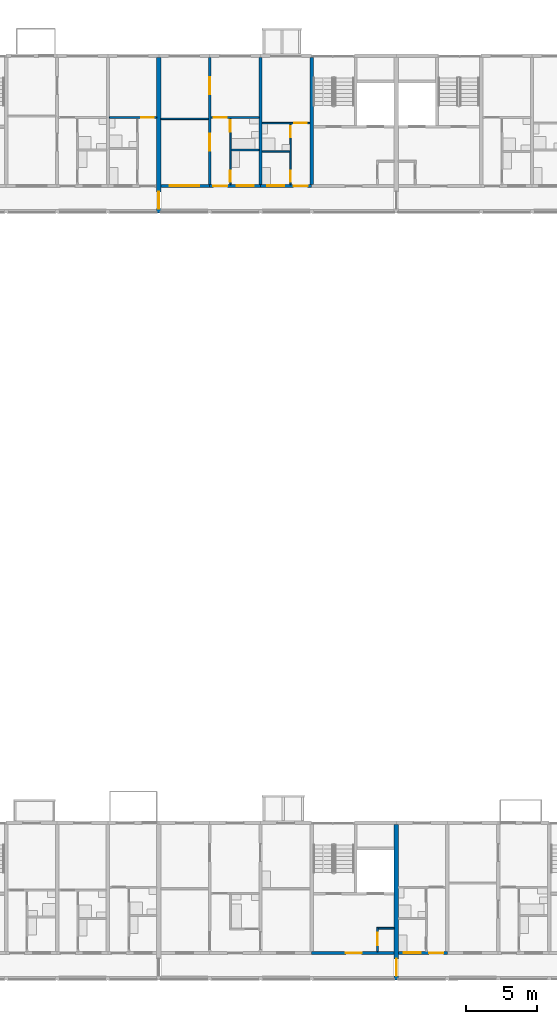
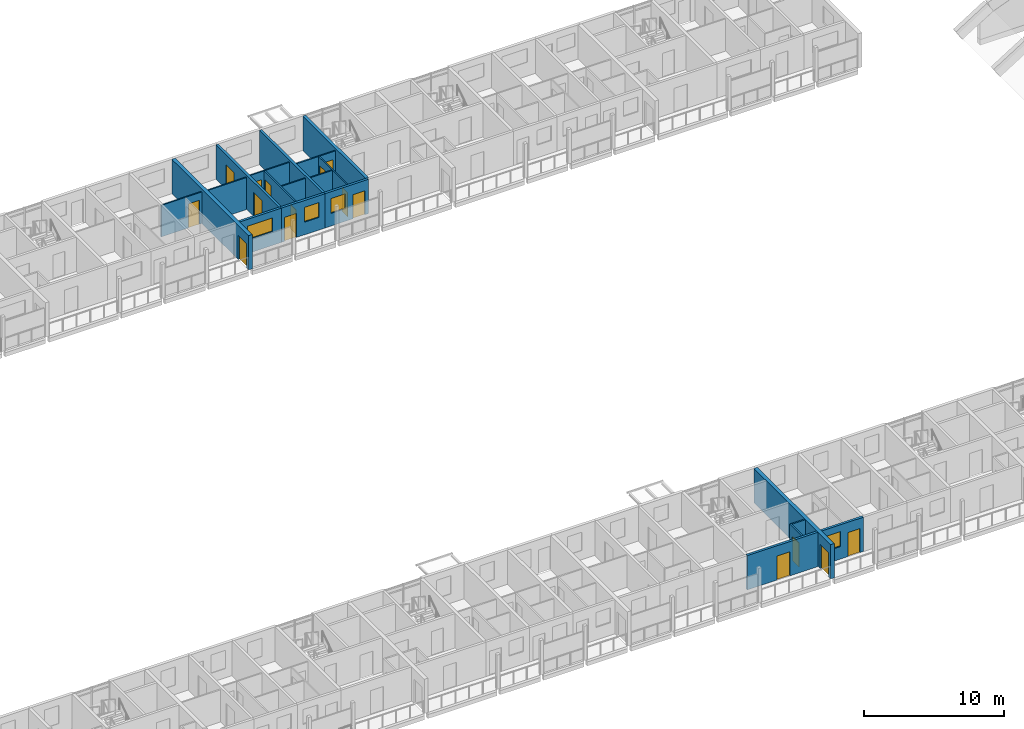
# One storey, part 36 of 99: 20 walls, 16 doors, 4 windows, 20 openings.
"""IFC4 building model written with IfcOpenShell, lengths in metres."""

from ifc_helpers import new_model, si_unit, direction, frame, frame_2d, origin, place, context, subcontext, project, spatial, rectangle, extrude, material, layer, layer_set, type_object, element, fill, save


model = new_model("IFC4")

# Units and contexts
model_context = context("Model", 3, precision=1e-05, world=origin(), true_north=direction((0.0, 1.0)))
body_context = subcontext(model_context, "Body", "Model", "MODEL_VIEW")
ifc_project = project(units=[si_unit("LENGTHUNIT", "METRE"), si_unit("AREAUNIT", "SQUARE_METRE"), si_unit("VOLUMEUNIT", "CUBIC_METRE"), si_unit("PLANEANGLEUNIT", "RADIAN"), si_unit("MASSUNIT", "GRAM", prefix="KILO")], contexts=[model_context])

# Site, building, storey
site_placement = place(None, origin())
site = spatial("IfcSite", under=ifc_project, at=site_placement, CompositionType="ELEMENT")
building_placement = place(site_placement, origin())
building = spatial("IfcBuilding", under=site, at=building_placement, Name="Ridgestep Commons", CompositionType="ELEMENT")
storey_placement = place(building_placement, frame((0.0, 0.0, 15.0)))
storey = spatial("IfcBuildingStorey", under=building, at=storey_placement, Name="L05", CompositionType="ELEMENT", Elevation=15.0)

# Wall
ifc_material_1 = material(Name="Concrete C30/37", Category="concrete")
ifc_layer_1 = layer(ifc_material_1, 0.25)
ifc_layer_set_1 = layer_set([ifc_layer_1], Name="Core cross wall 250")
wall_type_1 = type_object("IfcWallType", Name="Core cross wall 250", PredefinedType="SHEAR", material=ifc_layer_set_1)
wall_1_placement = place(storey_placement, frame((73.199951171875, 68.0, 0.0), z_axis=(0.0, 0.0, 1.0), x_axis=(0.0, 1.0, 0.0)))
element("IfcWall", 1, at=wall_1_placement, inside=storey, type_object=wall_type_1, Name="Cross wall B-05-0732", PredefinedType="SHEAR", context=body_context, shape_type="SweptSolid", body=[
    extrude(rectangle(XDim=9.0, YDim=0.25, at=frame_2d((4.5, 0.0))), origin(), (0.0, 0.0, 1.0), 3.0),
])

# Wall, opening, door
ifc_material_2 = material(Name="Concrete C30/37", Category="concrete")
ifc_layer_2 = layer(ifc_material_2, 0.199951171875)
ifc_layer_set_2 = layer_set([ifc_layer_2], Name="Core south wall 200")
wall_type_2 = type_object("IfcWallType", Name="Core south wall 200", PredefinedType="SHEAR", material=ifc_layer_set_2)
wall_2_placement = place(storey_placement, frame((73.199951171875, 13.64990234375, 0.0), z_axis=(0.0, 0.0, 1.0), x_axis=(1.0, 0.0, 0.0)))
wall_2 = element("IfcWall", 2, at=wall_2_placement, inside=storey, type_object=wall_type_2, Name="Core south wall A4C L05", PredefinedType="SHEAR", context=body_context, shape_type="SweptSolid", body=[
    extrude(rectangle(XDim=5.85009765625, YDim=0.199951171875, at=frame_2d((2.925048828125, 0.0))), origin(), (0.0, 0.0, 1.0), 3.0),
])
opening_1_placement = place(wall_2_placement, frame((2.4375, 0.0, 0.0)))
opening_1 = element("IfcOpeningElement", 3, at=opening_1_placement, cuts=wall_2, Name="Opening A4C/05/1", PredefinedType="OPENING", context=body_context, shape_type="SweptSolid", body=[
    extrude(rectangle(XDim=1.10009765625, YDim=2.10009765625, at=frame_2d((0.550048828125, 1.050048828125))), frame((0.0, 0.10986328125, 0.0), z_axis=(0.0, -1.0, 0.0), x_axis=(1.0, 0.0, 0.0)), (0.0, 0.0, 1.0), 0.219970703125),
])
ifc_material_3 = material(Name="Steel fire door", Category="steel")
door_type_1 = type_object("IfcDoorType", Name="Lobby door 1100 x 2100 FD60", OperationType="NOTDEFINED", PredefinedType="DOOR", material=ifc_material_3)
door_1_placement = place(opening_1_placement, origin())
door_1 = element("IfcDoor", 4, at=door_1_placement, inside=storey, type_object=door_type_1, Name="Lobby door A4C/05/1", OperationType="SINGLE_SWING_LEFT", OverallHeight=2.10009765625, OverallWidth=1.10009765625, PredefinedType="DOOR", context=body_context, shape_type="SweptSolid", body=[
    extrude(rectangle(XDim=1.10009765625, YDim=2.10009765625, at=frame_2d((0.550048828125, 1.050048828125))), frame((0.0, 0.02490234375, 0.0), z_axis=(0.0, -1.0, 0.0), x_axis=(1.0, 0.0, 0.0)), (0.0, 0.0, 1.0), 0.050048828125),
])
fill(opening_1, door_1)

ifc_material_4 = material(Name="Concrete C30/37", Category="concrete")
ifc_layer_3 = layer(ifc_material_4, 0.1201171875)
ifc_layer_set_3 = layer_set([ifc_layer_3], Name="Core wall 120")
wall_type_3 = type_object("IfcWallType", Name="Core wall 120", PredefinedType="SHEAR", material=ifc_layer_set_3)
wall_3_placement = place(storey_placement, frame((77.860107421875, 13.75, 0.0), z_axis=(0.0, 0.0, 1.0), x_axis=(0.0, 1.0, 0.0)))
wall_3 = element("IfcWall", 5, at=wall_3_placement, inside=storey, type_object=wall_type_3, Name="Core riser w wall A4C L05", PredefinedType="SHEAR", context=body_context, shape_type="SweptSolid", body=[
    extrude(rectangle(XDim=1.719970703125, YDim=0.1201171875, at=frame_2d((0.85986328125, 0.0))), origin(), (0.0, 0.0, 1.0), 3.0),
])
opening_2_placement = place(wall_3_placement, frame((0.449951171875, 0.0, 0.0)))
opening_2 = element("IfcOpeningElement", 6, at=opening_2_placement, cuts=wall_3, Name="Opening A4C/05/4", PredefinedType="OPENING", context=body_context, shape_type="SweptSolid", body=[
    extrude(rectangle(XDim=0.89990234375, YDim=2.10009765625, at=frame_2d((0.449951171875, 1.050048828125))), frame((0.0, 0.070068359375, 0.0), z_axis=(0.0, -1.0, 0.0), x_axis=(1.0, 0.0, 0.0)), (0.0, 0.0, 1.0), 0.14013671875),
])
ifc_material_5 = material(Name="Steel fire door", Category="steel")
door_type_2 = type_object("IfcDoorType", Name="Riser door 900 x 2100 FD60", OperationType="NOTDEFINED", PredefinedType="DOOR", material=ifc_material_5)
door_2_placement = place(opening_2_placement, origin())
door_2 = element("IfcDoor", 7, at=door_2_placement, inside=storey, type_object=door_type_2, Name="Riser door A4C/05/4", OperationType="SINGLE_SWING_LEFT", OverallHeight=2.10009765625, OverallWidth=0.89990234375, PredefinedType="DOOR", context=body_context, shape_type="SweptSolid", body=[
    extrude(rectangle(XDim=0.89990234375, YDim=2.10009765625, at=frame_2d((0.449951171875, 1.050048828125))), frame((0.0, 0.02490234375, 0.0), z_axis=(0.0, -1.0, 0.0), x_axis=(1.0, 0.0, 0.0)), (0.0, 0.0, 1.0), 0.050048828125),
])
fill(opening_2, door_2)

# Wall
wall_4_placement = place(storey_placement, frame((77.919921875, 15.409912109375, 0.0), z_axis=(0.0, 0.0, 1.0), x_axis=(1.0, 0.0, 0.0)))
element("IfcWall", 8, at=wall_4_placement, inside=storey, type_object=wall_type_3, Name="Core riser n wall A4C L05", PredefinedType="SHEAR", context=body_context, shape_type="SweptSolid", body=[
    extrude(rectangle(XDim=1.130126953125, YDim=0.1201171875, at=frame_2d((0.56494140625, 0.0))), origin(), (0.0, 0.0, 1.0), 3.0),
])

# Wall, openings, doors
ifc_material_6 = material(Name="Precast concrete C40/50", Category="concrete")
ifc_layer_4 = layer(ifc_material_6, 0.199951171875)
ifc_layer_set_4 = layer_set([ifc_layer_4], Name="Cross wall 200")
wall_type_4 = type_object("IfcWallType", Name="Cross wall 200", PredefinedType="SHEAR", material=ifc_layer_set_4)
wall_5_placement = place(storey_placement, frame((66.0, 68.0, 0.0), z_axis=(0.0, 0.0, 1.0), x_axis=(0.0, 1.0, 0.0)))
wall_5 = element("IfcWall", 9, at=wall_5_placement, inside=storey, type_object=wall_type_4, Name="Cross wall B-05-0660", PredefinedType="SHEAR", context=body_context, shape_type="SweptSolid", body=[
    extrude(rectangle(XDim=9.0, YDim=0.199951171875, at=frame_2d((4.5, 0.0))), origin(), (0.0, 0.0, 1.0), 3.0),
])
opening_3_placement = place(wall_5_placement, frame((2.39990234375, 0.0, 0.0)))
opening_3 = element("IfcOpeningElement", 10, at=opening_3_placement, cuts=wall_5, Name="Opening B4-05a/5", PredefinedType="OPENING", context=body_context, shape_type="SweptSolid", body=[
    extrude(rectangle(XDim=1.199951171875, YDim=2.10009765625, at=frame_2d((0.60009765625, 1.050048828125))), frame((0.0, 0.10986328125, 0.0), z_axis=(0.0, -1.0, 0.0), x_axis=(1.0, 0.0, 0.0)), (0.0, 0.0, 1.0), 0.219970703125),
])
opening_4_placement = place(wall_5_placement, frame((6.39990234375, 0.0, 0.0)))
opening_4 = element("IfcOpeningElement", 11, at=opening_4_placement, cuts=wall_5, Name="Opening B4-05a/6", PredefinedType="OPENING", context=body_context, shape_type="SweptSolid", body=[
    extrude(rectangle(XDim=1.199951171875, YDim=2.10009765625, at=frame_2d((0.60009765625, 1.050048828125))), frame((0.0, 0.10986328125, 0.0), z_axis=(0.0, -1.0, 0.0), x_axis=(1.0, 0.0, 0.0)), (0.0, 0.0, 1.0), 0.219970703125),
])
ifc_material_7 = material(Name="Timber door leaf", Category="wood")
door_type_3 = type_object("IfcDoorType", Name="Double door 1200 x 2100", OperationType="DOUBLE_DOOR_SINGLE_SWING", PredefinedType="DOOR", material=ifc_material_7)
door_3_placement = place(opening_3_placement, origin())
door_3 = element("IfcDoor", 12, at=door_3_placement, inside=storey, type_object=door_type_3, Name="Double door B4-05a/5", OperationType="DOUBLE_DOOR_SINGLE_SWING", OverallHeight=2.10009765625, OverallWidth=1.199951171875, PredefinedType="DOOR", context=body_context, shape_type="SweptSolid", body=[
    extrude(rectangle(XDim=1.199951171875, YDim=2.10009765625, at=frame_2d((0.60009765625, 1.050048828125))), frame((0.0, 0.02490234375, 0.0), z_axis=(0.0, -1.0, 0.0), x_axis=(1.0, 0.0, 0.0)), (0.0, 0.0, 1.0), 0.050048828125),
])
fill(opening_3, door_3)
door_4_placement = place(opening_4_placement, origin())
door_4 = element("IfcDoor", 13, at=door_4_placement, inside=storey, type_object=door_type_3, Name="Double door B4-05a/6", OperationType="DOUBLE_DOOR_SINGLE_SWING", OverallHeight=2.10009765625, OverallWidth=1.199951171875, PredefinedType="DOOR", context=body_context, shape_type="SweptSolid", body=[
    extrude(rectangle(XDim=1.199951171875, YDim=2.10009765625, at=frame_2d((0.60009765625, 1.050048828125))), frame((0.0, 0.02490234375, 0.0), z_axis=(0.0, -1.0, 0.0), x_axis=(1.0, 0.0, 0.0)), (0.0, 0.0, 1.0), 0.050048828125),
])
fill(opening_4, door_4)

# Wall
wall_6_placement = place(storey_placement, frame((69.60009765625, 68.0, 0.0), z_axis=(0.0, 0.0, 1.0), x_axis=(0.0, 1.0, 0.0)))
element("IfcWall", 14, at=wall_6_placement, inside=storey, type_object=wall_type_4, Name="Cross wall B-05-0696", PredefinedType="SHEAR", context=body_context, shape_type="SweptSolid", body=[
    extrude(rectangle(XDim=9.0, YDim=0.199951171875, at=frame_2d((4.5, 0.0))), origin(), (0.0, 0.0, 1.0), 3.0),
])

# Wall, opening, door
ifc_material_8 = material(Name="Precast concrete C40/50", Category="concrete")
ifc_layer_5 = layer(ifc_material_8, 0.300048828125)
ifc_layer_set_5 = layer_set([ifc_layer_5], Name="Division wall 300")
wall_type_5 = type_object("IfcWallType", Name="Division wall 300", PredefinedType="SHEAR", material=ifc_layer_set_5)
wall_7_placement = place(storey_placement, frame((79.199951171875, 11.75, 0.0), z_axis=(0.0, 0.0, 1.0), x_axis=(0.0, 1.0, 0.0)))
wall_7 = element("IfcWall", 15, at=wall_7_placement, inside=storey, type_object=wall_type_5, Name="Cross wall A-05-0792", PredefinedType="SHEAR", context=body_context, shape_type="SweptSolid", body=[
    extrude(rectangle(XDim=11.0, YDim=0.300048828125, at=frame_2d((5.5, 0.0))), origin(), (0.0, 0.0, 1.0), 3.0),
])
opening_5_placement = place(wall_7_placement, frame((0.300048828125, 0.0, 0.0)))
opening_5 = element("IfcOpeningElement", 16, at=opening_5_placement, cuts=wall_7, Name="Opening A/05/G0792", PredefinedType="OPENING", context=body_context, shape_type="SweptSolid", body=[
    extrude(rectangle(XDim=1.199951171875, YDim=2.10009765625, at=frame_2d((0.60009765625, 1.050048828125))), frame((0.0, 0.159912109375, 0.0), z_axis=(0.0, -1.0, 0.0), x_axis=(1.0, 0.0, 0.0)), (0.0, 0.0, 1.0), 0.320068359375),
])
ifc_material_9 = material(Name="Steel fire door", Category="steel")
door_type_4 = type_object("IfcDoorType", Name="Division fire door 1200 x 2100 EI 240", OperationType="DOUBLE_DOOR_SINGLE_SWING", PredefinedType="DOOR", material=ifc_material_9)
door_5_placement = place(opening_5_placement, origin())
door_5 = element("IfcDoor", 17, at=door_5_placement, inside=storey, type_object=door_type_4, Name="Division fire door A/05/G0792", OperationType="DOUBLE_DOOR_SINGLE_SWING", OverallHeight=2.10009765625, OverallWidth=1.199951171875, PredefinedType="DOOR", context=body_context, shape_type="SweptSolid", body=[
    extrude(rectangle(XDim=1.199951171875, YDim=2.10009765625, at=frame_2d((0.60009765625, 1.050048828125))), frame((0.0, 0.02490234375, 0.0), z_axis=(0.0, -1.0, 0.0), x_axis=(1.0, 0.0, 0.0)), (0.0, 0.0, 1.0), 0.050048828125),
])
fill(opening_5, door_5)

wall_8_placement = place(storey_placement, frame((62.39990234375, 66.0, 0.0), z_axis=(0.0, 0.0, 1.0), x_axis=(0.0, 1.0, 0.0)))
wall_8 = element("IfcWall", 18, at=wall_8_placement, inside=storey, type_object=wall_type_5, Name="Cross wall B-05-0624", PredefinedType="SHEAR", context=body_context, shape_type="SweptSolid", body=[
    extrude(rectangle(XDim=11.0, YDim=0.300048828125, at=frame_2d((5.5, 0.0))), origin(), (0.0, 0.0, 1.0), 3.0),
])
opening_6_placement = place(wall_8_placement, frame((0.300048828125, 0.0, 0.0)))
opening_6 = element("IfcOpeningElement", 19, at=opening_6_placement, cuts=wall_8, Name="Opening B/05/G0624", PredefinedType="OPENING", context=body_context, shape_type="SweptSolid", body=[
    extrude(rectangle(XDim=1.199951171875, YDim=2.10009765625, at=frame_2d((0.60009765625, 1.050048828125))), frame((0.0, 0.159912109375, 0.0), z_axis=(0.0, -1.0, 0.0), x_axis=(1.0, 0.0, 0.0)), (0.0, 0.0, 1.0), 0.320068359375),
])
door_6_placement = place(opening_6_placement, origin())
door_6 = element("IfcDoor", 20, at=door_6_placement, inside=storey, type_object=door_type_4, Name="Division fire door B/05/G0624", OperationType="DOUBLE_DOOR_SINGLE_SWING", OverallHeight=2.10009765625, OverallWidth=1.199951171875, PredefinedType="DOOR", context=body_context, shape_type="SweptSolid", body=[
    extrude(rectangle(XDim=1.199951171875, YDim=2.10009765625, at=frame_2d((0.60009765625, 1.050048828125))), frame((0.0, 0.02490234375, 0.0), z_axis=(0.0, -1.0, 0.0), x_axis=(1.0, 0.0, 0.0)), (0.0, 0.0, 1.0), 0.050048828125),
])
fill(opening_6, door_6)

ifc_material_10 = material(Name="Common brick 110 mm", Category="masonry")
ifc_layer_6 = layer(ifc_material_10, 0.110107421875)
ifc_layer_set_6 = layer_set([ifc_layer_6], Name="Partition 110")
wall_type_6 = type_object("IfcWallType", Name="Partition 110", PredefinedType="PARTITIONING", material=ifc_layer_set_6)
wall_9_placement = place(storey_placement, frame((58.89990234375, 72.7548828125, 0.0), z_axis=(0.0, 0.0, 1.0), x_axis=(1.0, 0.0, 0.0)))
wall_9 = element("IfcWall", 21, at=wall_9_placement, inside=storey, type_object=wall_type_6, Name="Partition B3-05a", PredefinedType="PARTITIONING", context=body_context, shape_type="SweptSolid", body=[
    extrude(rectangle(XDim=3.35009765625, YDim=0.110107421875, at=frame_2d((1.675048828125, 0.0))), origin(), (0.0, 0.0, 1.0), 2.75),
])
opening_7_placement = place(wall_9_placement, frame((2.25, 0.0, 0.0)))
opening_7 = element("IfcOpeningElement", 22, at=opening_7_placement, cuts=wall_9, Name="Opening B3-05a/4", PredefinedType="OPENING", context=body_context, shape_type="SweptSolid", body=[
    extrude(rectangle(XDim=0.89990234375, YDim=2.10009765625, at=frame_2d((0.449951171875, 1.050048828125))), frame((0.0, 0.06494140625, 0.0), z_axis=(0.0, -1.0, 0.0), x_axis=(1.0, 0.0, 0.0)), (0.0, 0.0, 1.0), 0.130126953125),
])
ifc_material_11 = material(Name="Timber door leaf", Category="wood")
door_type_5 = type_object("IfcDoorType", Name="Internal door 900 x 2100", OperationType="NOTDEFINED", PredefinedType="DOOR", material=ifc_material_11)
door_7_placement = place(opening_7_placement, origin())
door_7 = element("IfcDoor", 23, at=door_7_placement, inside=storey, type_object=door_type_5, Name="Internal door B3-05a/4", OperationType="SINGLE_SWING_LEFT", OverallHeight=2.10009765625, OverallWidth=0.89990234375, PredefinedType="DOOR", context=body_context, shape_type="SweptSolid", body=[
    extrude(rectangle(XDim=0.89990234375, YDim=2.10009765625, at=frame_2d((0.449951171875, 1.050048828125))), frame((0.0, 0.02490234375, 0.0), z_axis=(0.0, -1.0, 0.0), x_axis=(1.0, 0.0, 0.0)), (0.0, 0.0, 1.0), 0.050048828125),
])
fill(opening_7, door_7)

# Wall, openings, doors
wall_10_placement = place(storey_placement, frame((67.455078125, 68.0, 0.0), z_axis=(0.0, 0.0, 1.0), x_axis=(0.0, 1.0, 0.0)))
wall_10 = element("IfcWall", 24, at=wall_10_placement, inside=storey, type_object=wall_type_6, Name="Partition B4-05a", PredefinedType="PARTITIONING", context=body_context, shape_type="SweptSolid", body=[
    extrude(rectangle(XDim=4.699951171875, YDim=0.110107421875, at=frame_2d((2.35009765625, 0.0))), origin(), (0.0, 0.0, 1.0), 2.800048828125),
])
opening_8_placement = place(wall_10_placement, frame((0.199951171875, 0.0, 0.0)))
opening_8 = element("IfcOpeningElement", 25, at=opening_8_placement, cuts=wall_10, Name="Opening B4-05a/2", PredefinedType="OPENING", context=body_context, shape_type="SweptSolid", body=[
    extrude(rectangle(XDim=0.800048828125, YDim=2.10009765625, at=frame_2d((0.39990234375, 1.050048828125))), frame((0.0, 0.06494140625, 0.0), z_axis=(0.0, -1.0, 0.0), x_axis=(1.0, 0.0, 0.0)), (0.0, 0.0, 1.0), 0.130126953125),
])
opening_9_placement = place(wall_10_placement, frame((3.75, 0.0, 0.0)))
opening_9 = element("IfcOpeningElement", 26, at=opening_9_placement, cuts=wall_10, Name="Opening B4-05a/3", PredefinedType="OPENING", context=body_context, shape_type="SweptSolid", body=[
    extrude(rectangle(XDim=0.800048828125, YDim=2.10009765625, at=frame_2d((0.39990234375, 1.050048828125))), frame((0.0, 0.06494140625, 0.0), z_axis=(0.0, -1.0, 0.0), x_axis=(1.0, 0.0, 0.0)), (0.0, 0.0, 1.0), 0.130126953125),
])
ifc_material_12 = material(Name="Timber door leaf", Category="wood")
door_type_6 = type_object("IfcDoorType", Name="Internal door 800 x 2100", OperationType="NOTDEFINED", PredefinedType="DOOR", material=ifc_material_12)
door_8_placement = place(opening_8_placement, origin())
door_8 = element("IfcDoor", 27, at=door_8_placement, inside=storey, type_object=door_type_6, Name="Internal door B4-05a/2", OperationType="SINGLE_SWING_RIGHT", OverallHeight=2.10009765625, OverallWidth=0.800048828125, PredefinedType="DOOR", context=body_context, shape_type="SweptSolid", body=[
    extrude(rectangle(XDim=0.800048828125, YDim=2.10009765625, at=frame_2d((0.39990234375, 1.050048828125))), frame((0.0, 0.02490234375, 0.0), z_axis=(0.0, -1.0, 0.0), x_axis=(1.0, 0.0, 0.0)), (0.0, 0.0, 1.0), 0.050048828125),
])
fill(opening_8, door_8)
door_9_placement = place(opening_9_placement, origin())
door_9 = element("IfcDoor", 28, at=door_9_placement, inside=storey, type_object=door_type_6, Name="Internal door B4-05a/3", OperationType="SINGLE_SWING_LEFT", OverallHeight=2.10009765625, OverallWidth=0.800048828125, PredefinedType="DOOR", context=body_context, shape_type="SweptSolid", body=[
    extrude(rectangle(XDim=0.800048828125, YDim=2.10009765625, at=frame_2d((0.39990234375, 1.050048828125))), frame((0.0, 0.02490234375, 0.0), z_axis=(0.0, -1.0, 0.0), x_axis=(1.0, 0.0, 0.0)), (0.0, 0.0, 1.0), 0.050048828125),
])
fill(opening_9, door_9)

# Wall
wall_11_placement = place(storey_placement, frame((67.510009765625, 70.455078125, 0.0), z_axis=(0.0, 0.0, 1.0), x_axis=(1.0, 0.0, 0.0)))
element("IfcWall", 29, at=wall_11_placement, inside=storey, type_object=wall_type_6, Name="Partition B4-05a", PredefinedType="PARTITIONING", context=body_context, shape_type="SweptSolid", body=[
    extrude(rectangle(XDim=1.989990234375, YDim=0.110107421875, at=frame_2d((0.9951171875, 0.0))), origin(), (0.0, 0.0, 1.0), 2.800048828125),
])

# Wall, opening, door
wall_12_placement = place(storey_placement, frame((66.10009765625, 72.7548828125, 0.0), z_axis=(0.0, 0.0, 1.0), x_axis=(1.0, 0.0, 0.0)))
wall_12 = element("IfcWall", 30, at=wall_12_placement, inside=storey, type_object=wall_type_6, Name="Partition B4-05a", PredefinedType="PARTITIONING", context=body_context, shape_type="SweptSolid", body=[
    extrude(rectangle(XDim=3.39990234375, YDim=0.110107421875, at=frame_2d((1.699951171875, 0.0))), origin(), (0.0, 0.0, 1.0), 2.800048828125),
])
opening_10_placement = place(wall_12_placement, frame((0.199951171875, 0.0, 0.0)))
opening_10 = element("IfcOpeningElement", 31, at=opening_10_placement, cuts=wall_12, Name="Opening B4-05a/4", PredefinedType="OPENING", context=body_context, shape_type="SweptSolid", body=[
    extrude(rectangle(XDim=0.89990234375, YDim=2.10009765625, at=frame_2d((0.449951171875, 1.050048828125))), frame((0.0, 0.06494140625, 0.0), z_axis=(0.0, -1.0, 0.0), x_axis=(1.0, 0.0, 0.0)), (0.0, 0.0, 1.0), 0.130126953125),
])
door_10_placement = place(opening_10_placement, origin())
door_10 = element("IfcDoor", 32, at=door_10_placement, inside=storey, type_object=door_type_5, Name="Internal door B4-05a/4", OperationType="SINGLE_SWING_RIGHT", OverallHeight=2.10009765625, OverallWidth=0.89990234375, PredefinedType="DOOR", context=body_context, shape_type="SweptSolid", body=[
    extrude(rectangle(XDim=0.89990234375, YDim=2.10009765625, at=frame_2d((0.449951171875, 1.050048828125))), frame((0.0, 0.02490234375, 0.0), z_axis=(0.0, -1.0, 0.0), x_axis=(1.0, 0.0, 0.0)), (0.0, 0.0, 1.0), 0.050048828125),
])
fill(opening_10, door_10)

# Walls
wall_13_placement = place(storey_placement, frame((62.550048828125, 72.655029296875, 0.0), z_axis=(0.0, 0.0, 1.0), x_axis=(1.0, 0.0, 0.0)))
element("IfcWall", 33, at=wall_13_placement, inside=storey, type_object=wall_type_6, Name="Partition B4-05a", PredefinedType="PARTITIONING", context=body_context, shape_type="SweptSolid", body=[
    extrude(rectangle(XDim=3.349853515625, YDim=0.110107421875, at=frame_2d((1.6748046875, 0.0))), origin(), (0.0, 0.0, 1.0), 2.800048828125),
])
wall_14_placement = place(storey_placement, frame((69.699951171875, 70.35498046875, 0.0), z_axis=(0.0, 0.0, 1.0), x_axis=(1.0, 0.0, 0.0)))
element("IfcWall", 34, at=wall_14_placement, inside=storey, type_object=wall_type_6, Name="Partition B4-05b", PredefinedType="PARTITIONING", context=body_context, shape_type="SweptSolid", body=[
    extrude(rectangle(XDim=1.965087890625, YDim=0.110107421875, at=frame_2d((0.982421875, 0.0))), origin(), (0.0, 0.0, 1.0), 2.800048828125),
])

# Wall, openings, doors
wall_15_placement = place(storey_placement, frame((71.719970703125, 68.0, 0.0), z_axis=(0.0, 0.0, 1.0), x_axis=(0.0, 1.0, 0.0)))
wall_15 = element("IfcWall", 35, at=wall_15_placement, inside=storey, type_object=wall_type_6, Name="Partition B4-05b", PredefinedType="PARTITIONING", context=body_context, shape_type="SweptSolid", body=[
    extrude(rectangle(XDim=4.300048828125, YDim=0.110107421875, at=frame_2d((2.14990234375, 0.0))), origin(), (0.0, 0.0, 1.0), 2.800048828125),
])
opening_11_placement = place(wall_15_placement, frame((0.199951171875, 0.0, 0.0)))
opening_11 = element("IfcOpeningElement", 36, at=opening_11_placement, cuts=wall_15, Name="Opening B4-05b/2", PredefinedType="OPENING", context=body_context, shape_type="SweptSolid", body=[
    extrude(rectangle(XDim=0.800048828125, YDim=2.10009765625, at=frame_2d((0.39990234375, 1.050048828125))), frame((0.0, 0.06494140625, 0.0), z_axis=(0.0, -1.0, 0.0), x_axis=(1.0, 0.0, 0.0)), (0.0, 0.0, 1.0), 0.130126953125),
])
opening_12_placement = place(wall_15_placement, frame((3.35009765625, 0.0, 0.0)))
opening_12 = element("IfcOpeningElement", 37, at=opening_12_placement, cuts=wall_15, Name="Opening B4-05b/3", PredefinedType="OPENING", context=body_context, shape_type="SweptSolid", body=[
    extrude(rectangle(XDim=0.800048828125, YDim=2.10009765625, at=frame_2d((0.39990234375, 1.050048828125))), frame((0.0, 0.06494140625, 0.0), z_axis=(0.0, -1.0, 0.0), x_axis=(1.0, 0.0, 0.0)), (0.0, 0.0, 1.0), 0.130126953125),
])
door_11_placement = place(opening_11_placement, origin())
door_11 = element("IfcDoor", 38, at=door_11_placement, inside=storey, type_object=door_type_6, Name="Internal door B4-05b/2", OperationType="SINGLE_SWING_LEFT", OverallHeight=2.10009765625, OverallWidth=0.800048828125, PredefinedType="DOOR", context=body_context, shape_type="SweptSolid", body=[
    extrude(rectangle(XDim=0.800048828125, YDim=2.10009765625, at=frame_2d((0.39990234375, 1.050048828125))), frame((0.0, 0.02490234375, 0.0), z_axis=(0.0, -1.0, 0.0), x_axis=(1.0, 0.0, 0.0)), (0.0, 0.0, 1.0), 0.050048828125),
])
fill(opening_11, door_11)
door_12_placement = place(opening_12_placement, origin())
door_12 = element("IfcDoor", 39, at=door_12_placement, inside=storey, type_object=door_type_6, Name="Internal door B4-05b/3", OperationType="SINGLE_SWING_RIGHT", OverallHeight=2.10009765625, OverallWidth=0.800048828125, PredefinedType="DOOR", context=body_context, shape_type="SweptSolid", body=[
    extrude(rectangle(XDim=0.800048828125, YDim=2.10009765625, at=frame_2d((0.39990234375, 1.050048828125))), frame((0.0, 0.02490234375, 0.0), z_axis=(0.0, -1.0, 0.0), x_axis=(1.0, 0.0, 0.0)), (0.0, 0.0, 1.0), 0.050048828125),
])
fill(opening_12, door_12)

# Wall, opening, door
wall_16_placement = place(storey_placement, frame((69.699951171875, 72.35498046875, 0.0), z_axis=(0.0, 0.0, 1.0), x_axis=(1.0, 0.0, 0.0)))
wall_16 = element("IfcWall", 40, at=wall_16_placement, inside=storey, type_object=wall_type_6, Name="Partition B4-05b", PredefinedType="PARTITIONING", context=body_context, shape_type="SweptSolid", body=[
    extrude(rectangle(XDim=3.375, YDim=0.110107421875, at=frame_2d((1.6875, 0.0))), origin(), (0.0, 0.0, 1.0), 2.800048828125),
])
opening_13_placement = place(wall_16_placement, frame((2.27490234375, 0.0, 0.0)))
opening_13 = element("IfcOpeningElement", 41, at=opening_13_placement, cuts=wall_16, Name="Opening B4-05b/4", PredefinedType="OPENING", context=body_context, shape_type="SweptSolid", body=[
    extrude(rectangle(XDim=0.89990234375, YDim=2.10009765625, at=frame_2d((0.449951171875, 1.050048828125))), frame((0.0, 0.06494140625, 0.0), z_axis=(0.0, -1.0, 0.0), x_axis=(1.0, 0.0, 0.0)), (0.0, 0.0, 1.0), 0.130126953125),
])
door_13_placement = place(opening_13_placement, origin())
door_13 = element("IfcDoor", 42, at=door_13_placement, inside=storey, type_object=door_type_5, Name="Internal door B4-05b/4", OperationType="SINGLE_SWING_RIGHT", OverallHeight=2.10009765625, OverallWidth=0.89990234375, PredefinedType="DOOR", context=body_context, shape_type="SweptSolid", body=[
    extrude(rectangle(XDim=0.89990234375, YDim=2.10009765625, at=frame_2d((0.449951171875, 1.050048828125))), frame((0.0, 0.02490234375, 0.0), z_axis=(0.0, -1.0, 0.0), x_axis=(1.0, 0.0, 0.0)), (0.0, 0.0, 1.0), 0.050048828125),
])
fill(opening_13, door_13)

# Wall, openings, door, window
ifc_material_13 = material(Name="Precast concrete C40/50", Category="concrete")
ifc_layer_7 = layer(ifc_material_13, 0.199951171875)
ifc_layer_set_7 = layer_set([ifc_layer_7], Name="South facade panel 200")
wall_type_7 = type_object("IfcWallType", Name="South facade panel 200", PredefinedType="SOLIDWALL", material=ifc_layer_set_7)
wall_17_placement = place(storey_placement, frame((79.35009765625, 13.64990234375, 0.0), z_axis=(0.0, 0.0, 1.0), x_axis=(1.0, 0.0, 0.0)))
wall_17 = element("IfcWall", 43, at=wall_17_placement, inside=storey, type_object=wall_type_7, Name="South panel A5T1 L05", PredefinedType="SOLIDWALL", context=body_context, shape_type="SweptSolid", body=[
    extrude(rectangle(XDim=3.449951171875, YDim=0.199951171875, at=frame_2d((1.72509765625, 0.0))), origin(), (0.0, 0.0, 1.0), 3.0),
])
opening_14_placement = place(wall_17_placement, frame((0.357421875, 0.0, 1.10009765625)))
opening_14 = element("IfcOpeningElement", 44, at=opening_14_placement, cuts=wall_17, Name="Opening W08", PredefinedType="OPENING", context=body_context, shape_type="SweptSolid", body=[
    extrude(rectangle(XDim=1.199951171875, YDim=1.300048828125, at=frame_2d((0.60009765625, 0.64990234375))), frame((0.0, 0.10986328125, 0.0), z_axis=(0.0, -1.0, 0.0), x_axis=(1.0, 0.0, 0.0)), (0.0, 0.0, 1.0), 0.219970703125),
])
opening_15_placement = place(wall_17_placement, frame((2.175048828125, 0.0, 0.0)))
opening_15 = element("IfcOpeningElement", 45, at=opening_15_placement, cuts=wall_17, Name="Opening A5-05a/1", PredefinedType="OPENING", context=body_context, shape_type="SweptSolid", body=[
    extrude(rectangle(XDim=1.0, YDim=2.10009765625, at=frame_2d((0.5, 1.050048828125))), frame((0.0, 0.10986328125, 0.0), z_axis=(0.0, -1.0, 0.0), x_axis=(1.0, 0.0, 0.0)), (0.0, 0.0, 1.0), 0.219970703125),
])
ifc_material_14 = material(Name="Timber door leaf", Category="wood")
door_type_7 = type_object("IfcDoorType", Name="Flat entrance door 1000 x 2100 FD30S", OperationType="NOTDEFINED", PredefinedType="DOOR", material=ifc_material_14)
door_14_placement = place(opening_15_placement, origin())
door_14 = element("IfcDoor", 46, at=door_14_placement, inside=storey, type_object=door_type_7, Name="Flat entrance door A5-05a/1", OperationType="SINGLE_SWING_RIGHT", OverallHeight=2.10009765625, OverallWidth=1.0, PredefinedType="DOOR", context=body_context, shape_type="SweptSolid", body=[
    extrude(rectangle(XDim=1.0, YDim=2.10009765625, at=frame_2d((0.5, 1.050048828125))), frame((0.0, 0.02490234375, 0.0), z_axis=(0.0, -1.0, 0.0), x_axis=(1.0, 0.0, 0.0)), (0.0, 0.0, 1.0), 0.050048828125),
])
fill(opening_15, door_14)
ifc_material_15 = material(Name="Aluminium 6063-T6 and glass", Category="aluminium")
window_type_1 = type_object("IfcWindowType", Name="Flat window 1200 x 1300", PartitioningType="SINGLE_PANEL", PredefinedType="WINDOW", material=ifc_material_15)
window_1_placement = place(opening_14_placement, origin())
window_1 = element("IfcWindow", 47, at=window_1_placement, inside=storey, type_object=window_type_1, Name="Window A5-05a 1", OverallHeight=1.300048828125, OverallWidth=1.199951171875, PartitioningType="SINGLE_PANEL", PredefinedType="WINDOW", context=body_context, shape_type="SweptSolid", body=[
    extrude(rectangle(XDim=1.199951171875, YDim=1.300048828125, at=frame_2d((0.60009765625, 0.64990234375))), frame((0.0, 0.06005859375, 0.0), z_axis=(0.0, -1.0, 0.0), x_axis=(1.0, 0.0, 0.0)), (0.0, 0.0, 1.0), 0.06005859375),
])
fill(opening_14, window_1)

# Wall, opening, window
wall_18_placement = place(storey_placement, frame((62.550048828125, 67.89990234375, 0.0), z_axis=(0.0, 0.0, 1.0), x_axis=(1.0, 0.0, 0.0)))
wall_18 = element("IfcWall", 48, at=wall_18_placement, inside=storey, type_object=wall_type_7, Name="South panel B4T1 L05", PredefinedType="SOLIDWALL", context=body_context, shape_type="SweptSolid", body=[
    extrude(rectangle(XDim=3.449951171875, YDim=0.199951171875, at=frame_2d((1.72509765625, 0.0))), origin(), (0.0, 0.0, 1.0), 3.0),
])
opening_16_placement = place(wall_18_placement, frame((0.625, 0.0, 1.199951171875)))
opening_16 = element("IfcOpeningElement", 49, at=opening_16_placement, cuts=wall_18, Name="Opening W22", PredefinedType="OPENING", context=body_context, shape_type="SweptSolid", body=[
    extrude(rectangle(XDim=2.10009765625, YDim=1.199951171875, at=frame_2d((1.050048828125, 0.60009765625))), frame((0.0, 0.10986328125, 0.0), z_axis=(0.0, -1.0, 0.0), x_axis=(1.0, 0.0, 0.0)), (0.0, 0.0, 1.0), 0.219970703125),
])
ifc_material_16 = material(Name="Aluminium 6063-T6 and glass", Category="aluminium")
window_type_2 = type_object("IfcWindowType", Name="Flat window 2100 x 1200", PartitioningType="DOUBLE_PANEL_VERTICAL", PredefinedType="WINDOW", material=ifc_material_16)
window_2_placement = place(opening_16_placement, origin())
window_2 = element("IfcWindow", 50, at=window_2_placement, inside=storey, type_object=window_type_2, Name="Window B4-05a 1", OverallHeight=1.199951171875, OverallWidth=2.10009765625, PartitioningType="SINGLE_PANEL", PredefinedType="WINDOW", context=body_context, shape_type="SweptSolid", body=[
    extrude(rectangle(XDim=2.10009765625, YDim=1.199951171875, at=frame_2d((1.050048828125, 0.60009765625))), frame((0.0, 0.06005859375, 0.0), z_axis=(0.0, -1.0, 0.0), x_axis=(1.0, 0.0, 0.0)), (0.0, 0.0, 1.0), 0.06005859375),
])
fill(opening_16, window_2)

# Wall, openings, door, window
wall_19_placement = place(storey_placement, frame((66.0, 67.89990234375, 0.0), z_axis=(0.0, 0.0, 1.0), x_axis=(1.0, 0.0, 0.0)))
wall_19 = element("IfcWall", 51, at=wall_19_placement, inside=storey, type_object=wall_type_7, Name="South panel B4T2 L05", PredefinedType="SOLIDWALL", context=body_context, shape_type="SweptSolid", body=[
    extrude(rectangle(XDim=3.60009765625, YDim=0.199951171875, at=frame_2d((1.800048828125, 0.0))), origin(), (0.0, 0.0, 1.0), 3.0),
])
opening_17_placement = place(wall_19_placement, frame((1.905029296875, 0.0, 1.10009765625)))
opening_17 = element("IfcOpeningElement", 52, at=opening_17_placement, cuts=wall_19, Name="Opening W08", PredefinedType="OPENING", context=body_context, shape_type="SweptSolid", body=[
    extrude(rectangle(XDim=1.199951171875, YDim=1.300048828125, at=frame_2d((0.60009765625, 0.64990234375))), frame((0.0, 0.10986328125, 0.0), z_axis=(0.0, -1.0, 0.0), x_axis=(1.0, 0.0, 0.0)), (0.0, 0.0, 1.0), 0.219970703125),
])
opening_18_placement = place(wall_19_placement, frame((0.25, 0.0, 0.0)))
opening_18 = element("IfcOpeningElement", 53, at=opening_18_placement, cuts=wall_19, Name="Opening B4-05a/1", PredefinedType="OPENING", context=body_context, shape_type="SweptSolid", body=[
    extrude(rectangle(XDim=1.0, YDim=2.10009765625, at=frame_2d((0.5, 1.050048828125))), frame((0.0, 0.10986328125, 0.0), z_axis=(0.0, -1.0, 0.0), x_axis=(1.0, 0.0, 0.0)), (0.0, 0.0, 1.0), 0.219970703125),
])
door_15_placement = place(opening_18_placement, origin())
door_15 = element("IfcDoor", 54, at=door_15_placement, inside=storey, type_object=door_type_7, Name="Flat entrance door B4-05a/1", OperationType="SINGLE_SWING_LEFT", OverallHeight=2.10009765625, OverallWidth=1.0, PredefinedType="DOOR", context=body_context, shape_type="SweptSolid", body=[
    extrude(rectangle(XDim=1.0, YDim=2.10009765625, at=frame_2d((0.5, 1.050048828125))), frame((0.0, 0.02490234375, 0.0), z_axis=(0.0, -1.0, 0.0), x_axis=(1.0, 0.0, 0.0)), (0.0, 0.0, 1.0), 0.050048828125),
])
fill(opening_18, door_15)
window_3_placement = place(opening_17_placement, origin())
window_3 = element("IfcWindow", 55, at=window_3_placement, inside=storey, type_object=window_type_1, Name="Window B4-05a 3", OverallHeight=1.300048828125, OverallWidth=1.199951171875, PartitioningType="SINGLE_PANEL", PredefinedType="WINDOW", context=body_context, shape_type="SweptSolid", body=[
    extrude(rectangle(XDim=1.199951171875, YDim=1.300048828125, at=frame_2d((0.60009765625, 0.64990234375))), frame((0.0, 0.06005859375, 0.0), z_axis=(0.0, -1.0, 0.0), x_axis=(1.0, 0.0, 0.0)), (0.0, 0.0, 1.0), 0.06005859375),
])
fill(opening_17, window_3)

wall_20_placement = place(storey_placement, frame((69.60009765625, 67.89990234375, 0.0), z_axis=(0.0, 0.0, 1.0), x_axis=(1.0, 0.0, 0.0)))
wall_20 = element("IfcWall", 56, at=wall_20_placement, inside=storey, type_object=wall_type_7, Name="South panel B4T3 L05", PredefinedType="SOLIDWALL", context=body_context, shape_type="SweptSolid", body=[
    extrude(rectangle(XDim=3.599853515625, YDim=0.199951171875, at=frame_2d((1.7998046875, 0.0))), origin(), (0.0, 0.0, 1.0), 3.0),
])
opening_19_placement = place(wall_20_placement, frame((0.482421875, 0.0, 1.10009765625)))
opening_19 = element("IfcOpeningElement", 57, at=opening_19_placement, cuts=wall_20, Name="Opening W08", PredefinedType="OPENING", context=body_context, shape_type="SweptSolid", body=[
    extrude(rectangle(XDim=1.199951171875, YDim=1.300048828125, at=frame_2d((0.60009765625, 0.64990234375))), frame((0.0, 0.10986328125, 0.0), z_axis=(0.0, -1.0, 0.0), x_axis=(1.0, 0.0, 0.0)), (0.0, 0.0, 1.0), 0.219970703125),
])
opening_20_placement = place(wall_20_placement, frame((2.324951171875, 0.0, 0.0)))
opening_20 = element("IfcOpeningElement", 58, at=opening_20_placement, cuts=wall_20, Name="Opening B4-05b/1", PredefinedType="OPENING", context=body_context, shape_type="SweptSolid", body=[
    extrude(rectangle(XDim=1.0, YDim=2.10009765625, at=frame_2d((0.5, 1.050048828125))), frame((0.0, 0.10986328125, 0.0), z_axis=(0.0, -1.0, 0.0), x_axis=(1.0, 0.0, 0.0)), (0.0, 0.0, 1.0), 0.219970703125),
])
door_16_placement = place(opening_20_placement, origin())
door_16 = element("IfcDoor", 59, at=door_16_placement, inside=storey, type_object=door_type_7, Name="Flat entrance door B4-05b/1", OperationType="SINGLE_SWING_RIGHT", OverallHeight=2.10009765625, OverallWidth=1.0, PredefinedType="DOOR", context=body_context, shape_type="SweptSolid", body=[
    extrude(rectangle(XDim=1.0, YDim=2.10009765625, at=frame_2d((0.5, 1.050048828125))), frame((0.0, 0.02490234375, 0.0), z_axis=(0.0, -1.0, 0.0), x_axis=(1.0, 0.0, 0.0)), (0.0, 0.0, 1.0), 0.050048828125),
])
fill(opening_20, door_16)
window_4_placement = place(opening_19_placement, origin())
window_4 = element("IfcWindow", 60, at=window_4_placement, inside=storey, type_object=window_type_1, Name="Window B4-05b 1", OverallHeight=1.300048828125, OverallWidth=1.199951171875, PartitioningType="SINGLE_PANEL", PredefinedType="WINDOW", context=body_context, shape_type="SweptSolid", body=[
    extrude(rectangle(XDim=1.199951171875, YDim=1.300048828125, at=frame_2d((0.60009765625, 0.64990234375))), frame((0.0, 0.06005859375, 0.0), z_axis=(0.0, -1.0, 0.0), x_axis=(1.0, 0.0, 0.0)), (0.0, 0.0, 1.0), 0.06005859375),
])
fill(opening_19, window_4)

save(model, "model.ifc")
